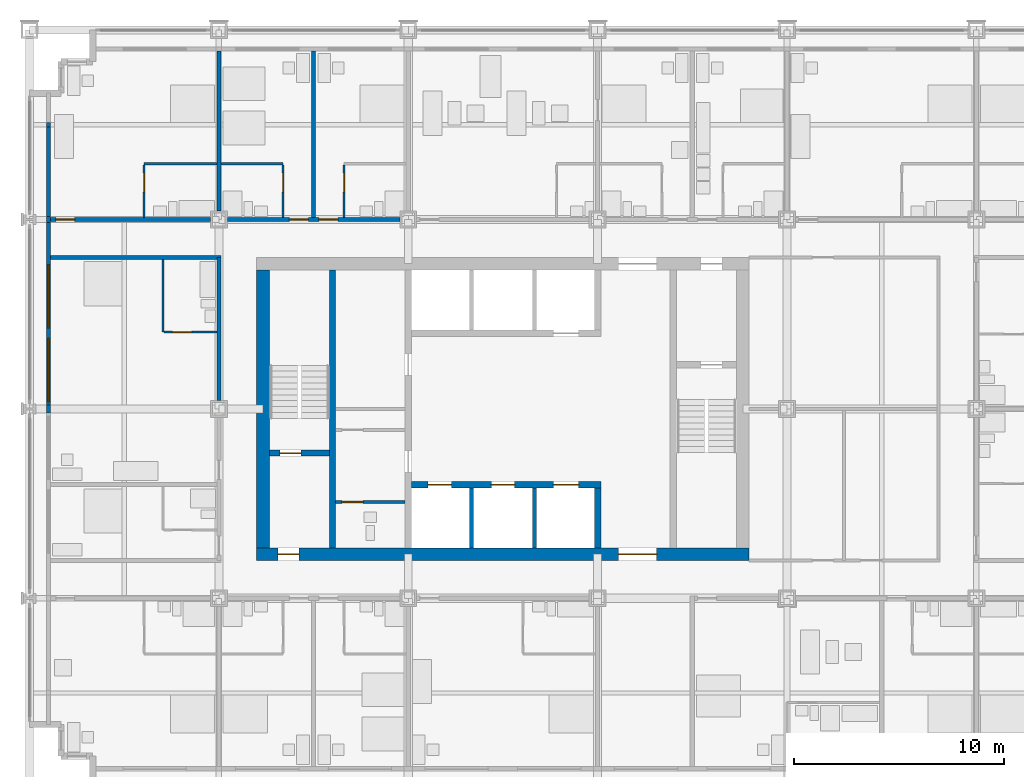
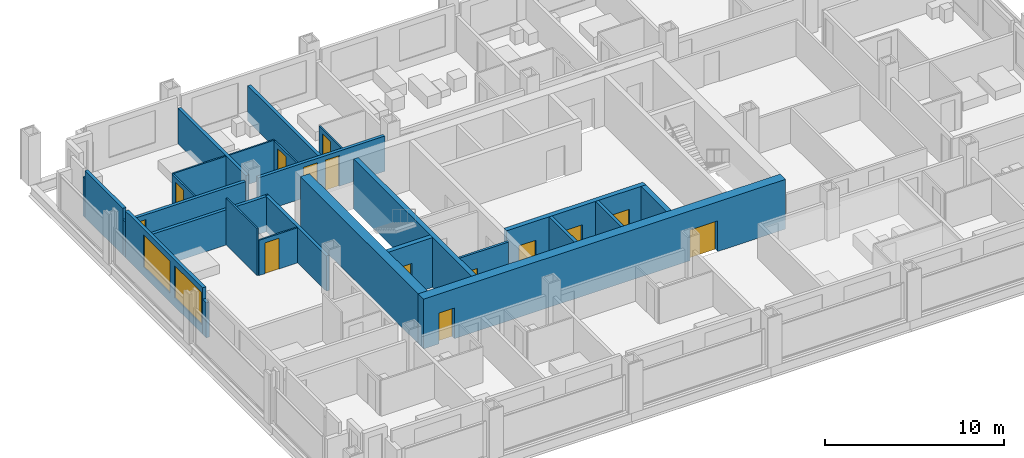
# One storey, part 11 of 18: 27 walls, 14 doors, 2 windows, 16 openings.
"""IFC4 building model written with IfcOpenShell, lengths in metres."""

import ifcopenshell
import ifcopenshell.guid

model = None  # the IFC model being written
_history = None  # IfcOwnerHistory: only IFC2X3 demands one
_inside = {}  # id of a spatial element -> (the spatial element, [elements in it])
_under = {}  # id of a project, library or spatial element -> (it, [spatial elements below it])
_declared = {}  # id of a project -> (the project, [libraries it declares])
_typed = {}  # id of a type object -> (the type object, [elements of that type])
_made_of = {}  # id of a material, layer set ... -> (it, [elements and type objects made of it])


def new_model(schema):
    """Start an empty IFC model of exactly this schema.

    Asked for "IFC4X3", IfcOpenShell would pick the latest addendum, in which some entities
    have other attributes; the version numbers below select the first issue.
    IFC2X3 requires an IfcOwnerHistory on every rooted entity: one is made here for all.
    """
    global model, _history
    if schema == "IFC4X3":
        model = ifcopenshell.file(schema_version=(4, 3, 0, 0))
    else:
        model = ifcopenshell.file(schema=schema)
    _inside.clear()
    _under.clear()
    _declared.clear()
    _typed.clear()
    _made_of.clear()
    _history = None
    if model.schema == "IFC2X3":
        org = make("IfcOrganization", Name="unknown")
        user = make(
            "IfcPersonAndOrganization",
            ThePerson=make("IfcPerson", FamilyName="unknown"),
            TheOrganization=org,
        )
        app = make(
            "IfcApplication",
            ApplicationDeveloper=org,
            Version="unknown",
            ApplicationFullName="unknown",
            ApplicationIdentifier="unknown",
        )
        _history = make(
            "IfcOwnerHistory",
            OwningUser=user,
            OwningApplication=app,
            ChangeAction="ADDED",
            CreationDate=0,
        )
    return model


def make(cls, **values):
    """One entity of the class cls with the attributes given. An attribute that is None is left unset."""
    return model.create_entity(
        cls, **{name: value for name, value in values.items() if value is not None}
    )


def rooted(cls, **values):
    """An entity with a GlobalId (a new one), such as an element, a storey or a relation."""
    return make(cls, GlobalId=ifcopenshell.guid.new(), OwnerHistory=_history, **values)


def si_unit(unit_type, name, prefix=None):
    """IfcSIUnit, for example si_unit("LENGTHUNIT", "METRE", prefix="MILLI")."""
    return make("IfcSIUnit", UnitType=unit_type, Prefix=prefix, Name=name)


def assignment(units):
    """IfcUnitAssignment: the units of a project."""
    return None if units is None else make("IfcUnitAssignment", Units=units)


def point(xyz):
    """IfcCartesianPoint."""
    return None if xyz is None else make("IfcCartesianPoint", Coordinates=xyz)


def direction(xyz):
    """IfcDirection."""
    return None if xyz is None else make("IfcDirection", DirectionRatios=xyz)


def frame(location, z_axis=None, x_axis=None):
    """IfcAxis2Placement3D, a coordinate frame: its origin and axes. An axis left out is left unset."""
    return make(
        "IfcAxis2Placement3D",
        Location=point(location),
        Axis=direction(z_axis),
        RefDirection=direction(x_axis),
    )


def frame_2d(location, x_axis=None):
    """IfcAxis2Placement2D, a coordinate frame in the plane: its origin and x axis."""
    return make(
        "IfcAxis2Placement2D", Location=point(location), RefDirection=direction(x_axis)
    )


def origin():
    """The frame at (0, 0, 0) with its axes left unset."""
    return frame((0.0, 0.0, 0.0))


def place(relative_to, where):
    """IfcLocalPlacement: puts the frame where relative to a parent placement (None: the world)."""
    return make(
        "IfcLocalPlacement", PlacementRelTo=relative_to, RelativePlacement=where
    )


def context(
    kind, dimensions, precision=None, world=None, true_north=None, identifier=None
):
    """IfcGeometricRepresentationContext, for example the 3D "Model" context."""
    return make(
        "IfcGeometricRepresentationContext",
        ContextIdentifier=identifier,
        ContextType=kind,
        CoordinateSpaceDimension=dimensions,
        Precision=precision,
        WorldCoordinateSystem=world,
        TrueNorth=true_north,
    )


def subcontext(parent, identifier, kind, view, scale=None):
    """IfcGeometricRepresentationSubContext, for example "Body" below "Model"."""
    return make(
        "IfcGeometricRepresentationSubContext",
        ContextIdentifier=identifier,
        ContextType=kind,
        ParentContext=parent,
        TargetScale=scale,
        TargetView=view,
    )


def project(units=None, contexts=None):
    """IfcProject with its units and contexts."""
    return rooted(
        "IfcProject",
        Name="project",
        RepresentationContexts=contexts,
        UnitsInContext=assignment(units),
    )


def spatial(cls, under=None, at=None, **own):
    """A site, building, storey or space (cls), placed at a placement, below another one or the project."""
    s = rooted(cls, ObjectPlacement=at, **own)
    if under is not None:
        _under.setdefault(under.id(), (under, []))[1].append(s)
    return s


def profile(cls, at=None, kind="AREA", **sizes):
    """A parametric profile (cls). Its sizes go by their IFC names, for example OverallWidth=200.0."""
    return make(cls, ProfileType=kind, Position=at, **sizes)


def rectangle(**sizes):
    """IfcRectangleProfileDef."""
    return profile("IfcRectangleProfileDef", **sizes)


def extrude(swept, where, along, depth):
    """IfcExtrudedAreaSolid: the profile swept, set in the frame where, extruded along a direction by depth."""
    return make(
        "IfcExtrudedAreaSolid",
        SweptArea=swept,
        Position=where,
        ExtrudedDirection=direction(along),
        Depth=depth,
    )


def shape(context_of_items, identifier, shape_type, items):
    """IfcShapeRepresentation: the items that make up one representation, for example the "Body"."""
    return make(
        "IfcShapeRepresentation",
        ContextOfItems=context_of_items,
        RepresentationIdentifier=identifier,
        RepresentationType=shape_type,
        Items=items,
    )


def material(Name=None, Category=None):
    """IfcMaterial."""
    return make("IfcMaterial", Name=Name, Category=Category)


def layer(
    of_material, thickness, ventilated=None, Name=None, Category=None, Priority=None
):
    """IfcMaterialLayer: one layer of a wall or slab, of a material (None: an air gap)."""
    return make(
        "IfcMaterialLayer",
        Material=of_material,
        LayerThickness=thickness,
        IsVentilated=ventilated,
        Name=Name,
        Category=Category,
        Priority=Priority,
    )


def layer_set(layers, Name=None):
    """IfcMaterialLayerSet."""
    return make("IfcMaterialLayerSet", MaterialLayers=layers, LayerSetName=Name)


def made_of(thing, what):
    """Note that an element or type object is made of a material, layer set ...; save() writes the relation."""
    if what is not None:
        _made_of.setdefault(what.id(), (what, []))[1].append(thing)
    return thing


def type_object(cls, material=None, **own):
    """A type object (cls), such as IfcWallType, which elements share."""
    return made_of(rooted(cls, **own), material)


def element(
    cls,
    number,
    at=None,
    inside=None,
    cuts=None,
    type_object=None,
    material=None,
    context=None,
    identifier="Body",
    shape_type=None,
    held_by="IfcProductDefinitionShape",
    body=None,
    shapes=None,
    **own,
):
    """One element of the class cls, such as IfcWall. Its Tag is "e" and its number.

    at: its placement. inside: the storey or other place that contains it. cuts: it is an
    opening in that element (IfcRelVoidsElement). A single representation is given by context,
    identifier, shape_type and body (its items); several are given by shapes. held_by: the class
    of the entity that holds the representations. save() writes the other relations.
    """
    e = rooted(cls, Tag="e%d" % number, ObjectPlacement=at, **own)
    if body is not None:
        shapes = [shape(context, identifier, shape_type, body)]
    if shapes is not None:
        e.Representation = make(held_by, Representations=shapes)
    if inside is not None:
        _inside.setdefault(inside.id(), (inside, []))[1].append(e)
    if cuts is not None:
        rooted(
            "IfcRelVoidsElement", RelatingBuildingElement=cuts, RelatedOpeningElement=e
        )
    if type_object is not None:
        _typed.setdefault(type_object.id(), (type_object, []))[1].append(e)
    return made_of(e, material)


def fill(opening, filler):
    """IfcRelFillsElement: the door or window that sits in an opening."""
    return rooted(
        "IfcRelFillsElement",
        RelatingOpeningElement=opening,
        RelatedBuildingElement=filler,
    )


def aggregate(whole, parts):
    """IfcRelAggregates: a whole, such as a stair, and the parts it consists of."""
    return rooted("IfcRelAggregates", RelatingObject=whole, RelatedObjects=parts)


def save(model, path):
    """Write the relations noted so far, then the file.

    IfcRelAggregates (storeys below a building ...), IfcRelContainedInSpatialStructure (elements
    in a storey), IfcRelDefinesByType, IfcRelAssociatesMaterial and IfcRelDeclares: one each for
    every whole, place, type object, material and project.
    """
    for whole, parts in _under.values():
        aggregate(whole, parts)
    for where, things in _inside.values():
        rooted(
            "IfcRelContainedInSpatialStructure",
            RelatedElements=things,
            RelatingStructure=where,
        )
    for kind, things in _typed.values():
        rooted("IfcRelDefinesByType", RelatedObjects=things, RelatingType=kind)
    for what, things in _made_of.values():
        rooted("IfcRelAssociatesMaterial", RelatedObjects=things, RelatingMaterial=what)
    for by, libraries in _declared.values():
        rooted("IfcRelDeclares", RelatingContext=by, RelatedDefinitions=libraries)
    model.write(path)


model = new_model("IFC4")

# Units and contexts
model_context = context("Model", 3, precision=1e-05, world=origin(), true_north=direction((0.0, 1.0)))
body_context = subcontext(model_context, "Body", "Model", "MODEL_VIEW")
ifc_project = project(units=[si_unit("LENGTHUNIT", "METRE"), si_unit("AREAUNIT", "SQUARE_METRE"), si_unit("VOLUMEUNIT", "CUBIC_METRE"), si_unit("PLANEANGLEUNIT", "RADIAN"), si_unit("MASSUNIT", "GRAM", prefix="KILO")], contexts=[model_context])

# Site, building, storey
site_placement = place(None, origin())
site = spatial("IfcSite", under=ifc_project, at=site_placement, CompositionType="ELEMENT")
building_placement = place(site_placement, origin())
building = spatial("IfcBuilding", under=site, at=building_placement, Name="Loomwork Tower", CompositionType="ELEMENT")
storey_placement = place(building_placement, frame((0.0, 0.0, 38.199951171875)))
storey = spatial("IfcBuildingStorey", under=building, at=storey_placement, Name="L08", CompositionType="ELEMENT", Elevation=38.199951171875)

# Wall
ifc_material_1 = material(Name="Concrete 14000 psi (97 MPa)", Category="concrete")
ifc_layer_1 = layer(ifc_material_1, 0.300048828125)
ifc_layer_set_1 = layer_set([ifc_layer_1], Name="Core shear wall 300")
wall_type_1 = type_object("IfcWallType", Name="Core shear wall 300", PredefinedType="SHEAR", material=ifc_layer_set_1)
wall_1_placement = place(storey_placement, frame((14.39990234375, 11.39990234375, 0.0), z_axis=(0.0, 0.0, 1.0), x_axis=(0.0, 1.0, 0.0)))
element("IfcWall", 1, at=wall_1_placement, inside=storey, type_object=wall_type_1, Name="Stair A east wall L08", PredefinedType="SHEAR", context=body_context, shape_type="SweptSolid", body=[
    extrude(rectangle(XDim=13.2001953125, YDim=0.300048828125, at=frame_2d((6.60009765625, 0.0))), origin(), (0.0, 0.0, 1.0), 3.400146484375),
])

# Wall, opening, door
wall_2_placement = place(storey_placement, frame((11.39990234375, 15.89990234375, 0.0), z_axis=(0.0, 0.0, 1.0), x_axis=(1.0, 0.0, 0.0)))
wall_2 = element("IfcWall", 2, at=wall_2_placement, inside=storey, type_object=wall_type_1, Name="Stair A south wall L08", PredefinedType="SHEAR", context=body_context, shape_type="SweptSolid", body=[
    extrude(rectangle(XDim=2.85009765625, YDim=0.300048828125, at=frame_2d((1.425048828125, 0.0))), origin(), (0.0, 0.0, 1.0), 3.400146484375),
])
opening_1_placement = place(wall_2_placement, frame((0.5, 0.0, 0.0)))
opening_1 = element("IfcOpeningElement", 3, at=opening_1_placement, cuts=wall_2, Name="Opening D4", PredefinedType="OPENING", context=body_context, shape_type="SweptSolid", body=[
    extrude(rectangle(XDim=1.0, YDim=2.10009765625, at=frame_2d((0.5, 1.050048828125))), frame((0.0, 0.159912109375, 0.0), z_axis=(0.0, -1.0, 0.0), x_axis=(1.0, 0.0, 0.0)), (0.0, 0.0, 1.0), 0.320068359375),
])
ifc_material_2 = material(Name="Hollow metal door and frame")
door_type_1 = type_object("IfcDoorType", Name="Stair door 1000", OperationType="SINGLE_SWING_RIGHT", PredefinedType="DOOR", material=ifc_material_2)
door_1_placement = place(opening_1_placement, origin())
door_1 = element("IfcDoor", 4, at=door_1_placement, inside=storey, type_object=door_type_1, Name="Stair A door", OperationType="SINGLE_SWING_LEFT", OverallHeight=2.10009765625, OverallWidth=1.0, PredefinedType="DOOR", context=body_context, shape_type="SweptSolid", body=[
    extrude(rectangle(XDim=1.0, YDim=2.10009765625, at=frame_2d((0.5, 1.050048828125))), frame((0.0, 0.02490234375, 0.0), z_axis=(0.0, -1.0, 0.0), x_axis=(1.0, 0.0, 0.0)), (0.0, 0.0, 1.0), 0.050048828125),
])
fill(opening_1, door_1)

# Wall, openings, doors
wall_3_placement = place(storey_placement, frame((18.14990234375, 14.39990234375, 0.0), z_axis=(0.0, 0.0, 1.0), x_axis=(1.0, 0.0, 0.0)))
wall_3 = element("IfcWall", 5, at=wall_3_placement, inside=storey, type_object=wall_type_1, Name="Lift front wall south L08", PredefinedType="SHEAR", context=body_context, shape_type="SweptSolid", body=[
    extrude(rectangle(XDim=9.0, YDim=0.300048828125, at=frame_2d((4.5, 0.0))), origin(), (0.0, 0.0, 1.0), 3.400146484375),
])
opening_2_placement = place(wall_3_placement, frame((0.800048828125, 0.0, 0.0)))
opening_2 = element("IfcOpeningElement", 6, at=opening_2_placement, cuts=wall_3, Name="Opening LD1", PredefinedType="OPENING", context=body_context, shape_type="SweptSolid", body=[
    extrude(rectangle(XDim=1.10009765625, YDim=2.10009765625, at=frame_2d((0.550048828125, 1.050048828125))), frame((0.0, 0.159912109375, 0.0), z_axis=(0.0, -1.0, 0.0), x_axis=(1.0, 0.0, 0.0)), (0.0, 0.0, 1.0), 0.320068359375),
])
opening_3_placement = place(wall_3_placement, frame((3.800048828125, 0.0, 0.0)))
opening_3 = element("IfcOpeningElement", 7, at=opening_3_placement, cuts=wall_3, Name="Opening LD1", PredefinedType="OPENING", context=body_context, shape_type="SweptSolid", body=[
    extrude(rectangle(XDim=1.10009765625, YDim=2.10009765625, at=frame_2d((0.550048828125, 1.050048828125))), frame((0.0, 0.159912109375, 0.0), z_axis=(0.0, -1.0, 0.0), x_axis=(1.0, 0.0, 0.0)), (0.0, 0.0, 1.0), 0.320068359375),
])
opening_4_placement = place(wall_3_placement, frame((6.75, 0.0, 0.0)))
opening_4 = element("IfcOpeningElement", 8, at=opening_4_placement, cuts=wall_3, Name="Opening LD2", PredefinedType="OPENING", context=body_context, shape_type="SweptSolid", body=[
    extrude(rectangle(XDim=1.199951171875, YDim=2.10009765625, at=frame_2d((0.60009765625, 1.050048828125))), frame((0.0, 0.159912109375, 0.0), z_axis=(0.0, -1.0, 0.0), x_axis=(1.0, 0.0, 0.0)), (0.0, 0.0, 1.0), 0.320068359375),
])
ifc_material_3 = material(Name="Hollow metal door and frame")
door_type_2 = type_object("IfcDoorType", Name="Lift landing door 1100", OperationType="SLIDING_TO_LEFT", PredefinedType="DOOR", material=ifc_material_3)
door_2_placement = place(opening_2_placement, origin())
door_2 = element("IfcDoor", 9, at=door_2_placement, inside=storey, type_object=door_type_2, Name="Lift landing door LA1", OperationType="SLIDING_TO_LEFT", OverallHeight=2.10009765625, OverallWidth=1.10009765625, PredefinedType="DOOR", context=body_context, shape_type="SweptSolid", body=[
    extrude(rectangle(XDim=1.10009765625, YDim=2.10009765625, at=frame_2d((0.550048828125, 1.050048828125))), frame((0.0, 0.02490234375, 0.0), z_axis=(0.0, -1.0, 0.0), x_axis=(1.0, 0.0, 0.0)), (0.0, 0.0, 1.0), 0.050048828125),
])
fill(opening_2, door_2)
door_3_placement = place(opening_3_placement, origin())
door_3 = element("IfcDoor", 10, at=door_3_placement, inside=storey, type_object=door_type_2, Name="Lift landing door LA2", OperationType="SLIDING_TO_LEFT", OverallHeight=2.10009765625, OverallWidth=1.10009765625, PredefinedType="DOOR", context=body_context, shape_type="SweptSolid", body=[
    extrude(rectangle(XDim=1.10009765625, YDim=2.10009765625, at=frame_2d((0.550048828125, 1.050048828125))), frame((0.0, 0.02490234375, 0.0), z_axis=(0.0, -1.0, 0.0), x_axis=(1.0, 0.0, 0.0)), (0.0, 0.0, 1.0), 0.050048828125),
])
fill(opening_3, door_3)
ifc_material_4 = material(Name="Hollow metal door and frame")
door_type_3 = type_object("IfcDoorType", Name="Lift landing door 1200", OperationType="SLIDING_TO_LEFT", PredefinedType="DOOR", material=ifc_material_4)
door_4_placement = place(opening_4_placement, origin())
door_4 = element("IfcDoor", 11, at=door_4_placement, inside=storey, type_object=door_type_3, Name="Lift landing door LF1", OperationType="SLIDING_TO_LEFT", OverallHeight=2.10009765625, OverallWidth=1.199951171875, PredefinedType="DOOR", context=body_context, shape_type="SweptSolid", body=[
    extrude(rectangle(XDim=1.199951171875, YDim=2.10009765625, at=frame_2d((0.60009765625, 1.050048828125))), frame((0.0, 0.02490234375, 0.0), z_axis=(0.0, -1.0, 0.0), x_axis=(1.0, 0.0, 0.0)), (0.0, 0.0, 1.0), 0.050048828125),
])
fill(opening_4, door_4)

# Wall
wall_4_placement = place(storey_placement, frame((27.0, 11.39990234375, 0.0), z_axis=(0.0, 0.0, 1.0), x_axis=(0.0, 1.0, 0.0)))
element("IfcWall", 12, at=wall_4_placement, inside=storey, type_object=wall_type_1, Name="Lift shaft end wall south L08", PredefinedType="SHEAR", context=body_context, shape_type="SweptSolid", body=[
    extrude(rectangle(XDim=2.85009765625, YDim=0.300048828125, at=frame_2d((1.425048828125, 0.0))), origin(), (0.0, 0.0, 1.0), 3.400146484375),
])

# Wall, openings, doors
ifc_material_5 = material(Name="Concrete 14000 psi (97 MPa)", Category="concrete")
ifc_layer_2 = layer(ifc_material_5, 0.60009765625)
ifc_layer_set_2 = layer_set([ifc_layer_2], Name="Core shear wall 600")
wall_type_2 = type_object("IfcWallType", Name="Core shear wall 600", PredefinedType="SHEAR", material=ifc_layer_set_2)
wall_5_placement = place(storey_placement, frame((10.800048828125, 11.10009765625, 0.0), z_axis=(0.0, 0.0, 1.0), x_axis=(1.0, 0.0, 0.0)))
wall_5 = element("IfcWall", 13, at=wall_5_placement, inside=storey, type_object=wall_type_2, Name="Core wall south L08", PredefinedType="SHEAR", context=body_context, shape_type="SweptSolid", body=[
    extrude(rectangle(XDim=23.39990234375, YDim=0.60009765625, at=frame_2d((11.699951171875, 0.0))), origin(), (0.0, 0.0, 1.0), 3.400146484375),
])
opening_5_placement = place(wall_5_placement, frame((1.0, 0.0, 0.0)))
opening_5 = element("IfcOpeningElement", 14, at=opening_5_placement, cuts=wall_5, Name="Opening D4", PredefinedType="OPENING", context=body_context, shape_type="SweptSolid", body=[
    extrude(rectangle(XDim=1.0, YDim=2.10009765625, at=frame_2d((0.5, 1.050048828125))), frame((0.0, 0.31005859375, 0.0), z_axis=(0.0, -1.0, 0.0), x_axis=(1.0, 0.0, 0.0)), (0.0, 0.0, 1.0), 0.6201171875),
])
opening_6_placement = place(wall_5_placement, frame((17.199951171875, 0.0, 0.0)))
opening_6 = element("IfcOpeningElement", 15, at=opening_6_placement, cuts=wall_5, Name="Opening D6", PredefinedType="OPENING", context=body_context, shape_type="SweptSolid", body=[
    extrude(rectangle(XDim=1.800048828125, YDim=2.10009765625, at=frame_2d((0.89990234375, 1.050048828125))), frame((0.0, 0.31005859375, 0.0), z_axis=(0.0, -1.0, 0.0), x_axis=(1.0, 0.0, 0.0)), (0.0, 0.0, 1.0), 0.6201171875),
])
ifc_material_6 = material(Name="Hollow metal door and frame")
door_type_4 = type_object("IfcDoorType", Name="Lobby passage double door 1800", OperationType="DOUBLE_DOOR_SINGLE_SWING", PredefinedType="DOOR", material=ifc_material_6)
door_5_placement = place(opening_6_placement, origin())
door_5 = element("IfcDoor", 16, at=door_5_placement, inside=storey, type_object=door_type_4, Name="Lobby passage door south", OperationType="DOUBLE_DOOR_SINGLE_SWING", OverallHeight=2.10009765625, OverallWidth=1.800048828125, PredefinedType="DOOR", context=body_context, shape_type="SweptSolid", body=[
    extrude(rectangle(XDim=1.800048828125, YDim=2.10009765625, at=frame_2d((0.89990234375, 1.050048828125))), frame((0.0, 0.02490234375, 0.0), z_axis=(0.0, -1.0, 0.0), x_axis=(1.0, 0.0, 0.0)), (0.0, 0.0, 1.0), 0.050048828125),
])
fill(opening_6, door_5)
door_6_placement = place(opening_5_placement, origin())
door_6 = element("IfcDoor", 17, at=door_6_placement, inside=storey, type_object=door_type_1, Name="Stair A vestibule door", OperationType="SINGLE_SWING_LEFT", OverallHeight=2.10009765625, OverallWidth=1.0, PredefinedType="DOOR", context=body_context, shape_type="SweptSolid", body=[
    extrude(rectangle(XDim=1.0, YDim=2.10009765625, at=frame_2d((0.5, 1.050048828125))), frame((0.0, 0.02490234375, 0.0), z_axis=(0.0, -1.0, 0.0), x_axis=(1.0, 0.0, 0.0)), (0.0, 0.0, 1.0), 0.050048828125),
])
fill(opening_5, door_6)

# Wall
wall_6_placement = place(storey_placement, frame((11.10009765625, 11.39990234375, 0.0), z_axis=(0.0, 0.0, 1.0), x_axis=(0.0, 1.0, 0.0)))
element("IfcWall", 18, at=wall_6_placement, inside=storey, type_object=wall_type_2, Name="Core wall west L08", PredefinedType="SHEAR", context=body_context, shape_type="SweptSolid", body=[
    extrude(rectangle(XDim=13.2001953125, YDim=0.60009765625, at=frame_2d((6.60009765625, 0.0))), origin(), (0.0, 0.0, 1.0), 3.400146484375),
])

# Wall, opening, door
ifc_material_7 = material(Name="Gypsum board on steel studs, one-hour", Category="steel")
ifc_layer_3 = layer(ifc_material_7, 0.199951171875)
ifc_layer_set_3 = layer_set([ifc_layer_3], Name="Corridor wall 200")
wall_type_3 = type_object("IfcWallType", Name="Corridor wall 200", PredefinedType="PARTITIONING", material=ifc_layer_set_3)
wall_7_placement = place(storey_placement, frame((1.0, 27.0, 0.0), z_axis=(0.0, 0.0, 1.0), x_axis=(1.0, 0.0, 0.0)))
wall_7 = element("IfcWall", 19, at=wall_7_placement, inside=storey, type_object=wall_type_3, Name="North corridor wall 1", PredefinedType="PARTITIONING", context=body_context, shape_type="SweptSolid", body=[
    extrude(rectangle(XDim=7.60009765625, YDim=0.199951171875, at=frame_2d((3.800048828125, 0.0))), origin(), (0.0, 0.0, 1.0), 2.43798828125),
])
opening_7_placement = place(wall_7_placement, frame((0.25, 0.0, 0.0)))
opening_7 = element("IfcOpeningElement", 20, at=opening_7_placement, cuts=wall_7, Name="Opening D1", PredefinedType="OPENING", context=body_context, shape_type="SweptSolid", body=[
    extrude(rectangle(XDim=0.89990234375, YDim=2.10009765625, at=frame_2d((0.449951171875, 1.050048828125))), frame((0.0, 0.10986328125, 0.0), z_axis=(0.0, -1.0, 0.0), x_axis=(1.0, 0.0, 0.0)), (0.0, 0.0, 1.0), 0.219970703125),
])
ifc_material_8 = material(Name="Hollow metal door and frame")
door_type_5 = type_object("IfcDoorType", Name="Guest room entry door 900", OperationType="SINGLE_SWING_LEFT", PredefinedType="DOOR", material=ifc_material_8)
door_7_placement = place(opening_7_placement, origin())
door_7 = element("IfcDoor", 21, at=door_7_placement, inside=storey, type_object=door_type_5, Name="Guest room entry door L08 8", OperationType="SINGLE_SWING_LEFT", OverallHeight=2.10009765625, OverallWidth=0.89990234375, PredefinedType="DOOR", context=body_context, shape_type="SweptSolid", body=[
    extrude(rectangle(XDim=0.89990234375, YDim=2.10009765625, at=frame_2d((0.449951171875, 1.050048828125))), frame((0.0, 0.02490234375, 0.0), z_axis=(0.0, -1.0, 0.0), x_axis=(1.0, 0.0, 0.0)), (0.0, 0.0, 1.0), 0.050048828125),
])
fill(opening_7, door_7)

# Wall, openings, doors
wall_8_placement = place(storey_placement, frame((9.39990234375, 27.0, 0.0), z_axis=(0.0, 0.0, 1.0), x_axis=(1.0, 0.0, 0.0)))
wall_8 = element("IfcWall", 22, at=wall_8_placement, inside=storey, type_object=wall_type_3, Name="North corridor wall 2", PredefinedType="PARTITIONING", context=body_context, shape_type="SweptSolid", body=[
    extrude(rectangle(XDim=8.2001953125, YDim=0.199951171875, at=frame_2d((4.10009765625, 0.0))), origin(), (0.0, 0.0, 1.0), 2.405029296875),
])
opening_8_placement = place(wall_8_placement, frame((2.949951171875, 0.0, 0.0)))
opening_8 = element("IfcOpeningElement", 23, at=opening_8_placement, cuts=wall_8, Name="Opening D1", PredefinedType="OPENING", context=body_context, shape_type="SweptSolid", body=[
    extrude(rectangle(XDim=0.89990234375, YDim=2.10009765625, at=frame_2d((0.449951171875, 1.050048828125))), frame((0.0, 0.10986328125, 0.0), z_axis=(0.0, -1.0, 0.0), x_axis=(1.0, 0.0, 0.0)), (0.0, 0.0, 1.0), 0.219970703125),
])
opening_9_placement = place(wall_8_placement, frame((4.35009765625, 0.0, 0.0)))
opening_9 = element("IfcOpeningElement", 24, at=opening_9_placement, cuts=wall_8, Name="Opening D1", PredefinedType="OPENING", context=body_context, shape_type="SweptSolid", body=[
    extrude(rectangle(XDim=0.89990234375, YDim=2.10009765625, at=frame_2d((0.449951171875, 1.050048828125))), frame((0.0, 0.10986328125, 0.0), z_axis=(0.0, -1.0, 0.0), x_axis=(1.0, 0.0, 0.0)), (0.0, 0.0, 1.0), 0.219970703125),
])
door_8_placement = place(opening_8_placement, origin())
door_8 = element("IfcDoor", 25, at=door_8_placement, inside=storey, type_object=door_type_5, Name="Guest room entry door L08 9", OperationType="SINGLE_SWING_RIGHT", OverallHeight=2.10009765625, OverallWidth=0.89990234375, PredefinedType="DOOR", context=body_context, shape_type="SweptSolid", body=[
    extrude(rectangle(XDim=0.89990234375, YDim=2.10009765625, at=frame_2d((0.449951171875, 1.050048828125))), frame((0.0, 0.02490234375, 0.0), z_axis=(0.0, -1.0, 0.0), x_axis=(1.0, 0.0, 0.0)), (0.0, 0.0, 1.0), 0.050048828125),
])
fill(opening_8, door_8)
door_9_placement = place(opening_9_placement, origin())
door_9 = element("IfcDoor", 26, at=door_9_placement, inside=storey, type_object=door_type_5, Name="Guest room entry door L08 10", OperationType="SINGLE_SWING_LEFT", OverallHeight=2.10009765625, OverallWidth=0.89990234375, PredefinedType="DOOR", context=body_context, shape_type="SweptSolid", body=[
    extrude(rectangle(XDim=0.89990234375, YDim=2.10009765625, at=frame_2d((0.449951171875, 1.050048828125))), frame((0.0, 0.02490234375, 0.0), z_axis=(0.0, -1.0, 0.0), x_axis=(1.0, 0.0, 0.0)), (0.0, 0.0, 1.0), 0.050048828125),
])
fill(opening_9, door_9)

# Walls
wall_9_placement = place(storey_placement, frame((9.0, 18.39990234375, 0.0), z_axis=(0.0, 0.0, 1.0), x_axis=(0.0, 1.0, 0.0)))
element("IfcWall", 27, at=wall_9_placement, inside=storey, type_object=wall_type_3, Name="West corridor wall 2", PredefinedType="PARTITIONING", context=body_context, shape_type="SweptSolid", body=[
    extrude(rectangle(XDim=6.800048828125, YDim=0.199951171875, at=frame_2d((3.39990234375, 0.0))), origin(), (0.0, 0.0, 1.0), 2.405029296875),
])
wall_10_placement = place(storey_placement, frame((1.0, 25.199951171875, 0.0), z_axis=(0.0, 0.0, 1.0), x_axis=(1.0, 0.0, 0.0)))
element("IfcWall", 28, at=wall_10_placement, inside=storey, type_object=wall_type_3, Name="West band end wall N", PredefinedType="PARTITIONING", context=body_context, shape_type="SweptSolid", body=[
    extrude(rectangle(XDim=8.10009765625, YDim=0.199951171875, at=frame_2d((4.050048828125, 0.0))), origin(), (0.0, 0.0, 1.0), 2.404052734375),
])
ifc_material_9 = material(Name="Cement board on steel studs", Category="steel")
ifc_layer_4 = layer(ifc_material_9, 0.10009765625)
ifc_layer_set_4 = layer_set([ifc_layer_4], Name="En-suite partition 100")
wall_type_4 = type_object("IfcWallType", Name="En-suite partition 100", PredefinedType="PARTITIONING", material=ifc_layer_set_4)
wall_11_placement = place(storey_placement, frame((5.449951171875, 29.64990234375, 0.0), z_axis=(0.0, 0.0, 1.0), x_axis=(1.0, 0.0, 0.0)))
element("IfcWall", 29, at=wall_11_placement, inside=storey, type_object=wall_type_4, Name="En-suite wall L08 room 8", PredefinedType="PARTITIONING", context=body_context, shape_type="SweptSolid", body=[
    extrude(rectangle(XDim=3.449951171875, YDim=0.10009765625, at=frame_2d((1.72509765625, 0.0))), origin(), (0.0, 0.0, 1.0), 2.43798828125),
])

# Wall, opening, door
wall_12_placement = place(storey_placement, frame((5.449951171875, 27.10009765625, 0.0), z_axis=(0.0, 0.0, 1.0), x_axis=(0.0, 1.0, 0.0)))
wall_12 = element("IfcWall", 30, at=wall_12_placement, inside=storey, type_object=wall_type_4, Name="En-suite side wall L08 room 8", PredefinedType="PARTITIONING", context=body_context, shape_type="SweptSolid", body=[
    extrude(rectangle(XDim=2.5, YDim=0.10009765625, at=frame_2d((1.25, 0.0))), origin(), (0.0, 0.0, 1.0), 2.43798828125),
])
opening_10_placement = place(wall_12_placement, frame((1.199951171875, 0.0, 0.0)))
opening_10 = element("IfcOpeningElement", 31, at=opening_10_placement, cuts=wall_12, Name="Opening D2", PredefinedType="OPENING", context=body_context, shape_type="SweptSolid", body=[
    extrude(rectangle(XDim=0.89990234375, YDim=2.10009765625, at=frame_2d((0.449951171875, 1.050048828125))), frame((0.0, 0.06005859375, 0.0), z_axis=(0.0, -1.0, 0.0), x_axis=(1.0, 0.0, 0.0)), (0.0, 0.0, 1.0), 0.1201171875),
])
ifc_material_10 = material(Name="Hollow metal door and frame")
door_type_6 = type_object("IfcDoorType", Name="En-suite door 900", OperationType="SINGLE_SWING_LEFT", PredefinedType="DOOR", material=ifc_material_10)
door_10_placement = place(opening_10_placement, frame((0.89990234375, 0.0, 0.0), z_axis=(0.0, 0.0, 1.0), x_axis=(-1.0, 0.0, 0.0)))
door_10 = element("IfcDoor", 32, at=door_10_placement, inside=storey, type_object=door_type_6, Name="En-suite door room 8", OperationType="SINGLE_SWING_LEFT", OverallHeight=2.10009765625, OverallWidth=0.89990234375, PredefinedType="DOOR", context=body_context, shape_type="SweptSolid", body=[
    extrude(rectangle(XDim=0.89990234375, YDim=2.10009765625, at=frame_2d((0.449951171875, 1.050048828125))), frame((0.0, 0.02490234375, 0.0), z_axis=(0.0, -1.0, 0.0), x_axis=(1.0, 0.0, 0.0)), (0.0, 0.0, 1.0), 0.050048828125),
])
fill(opening_10, door_10)

# Wall
wall_13_placement = place(storey_placement, frame((9.10009765625, 29.64990234375, 0.0), z_axis=(0.0, 0.0, 1.0), x_axis=(1.0, 0.0, 0.0)))
element("IfcWall", 33, at=wall_13_placement, inside=storey, type_object=wall_type_4, Name="En-suite wall L08 room 9", PredefinedType="PARTITIONING", context=body_context, shape_type="SweptSolid", body=[
    extrude(rectangle(XDim=2.949951171875, YDim=0.10009765625, at=frame_2d((1.47509765625, 0.0))), origin(), (0.0, 0.0, 1.0), 2.43798828125),
])

# Wall, opening, door
wall_14_placement = place(storey_placement, frame((12.050048828125, 27.10009765625, 0.0), z_axis=(0.0, 0.0, 1.0), x_axis=(0.0, 1.0, 0.0)))
wall_14 = element("IfcWall", 34, at=wall_14_placement, inside=storey, type_object=wall_type_4, Name="En-suite side wall L08 room 9", PredefinedType="PARTITIONING", context=body_context, shape_type="SweptSolid", body=[
    extrude(rectangle(XDim=2.5, YDim=0.10009765625, at=frame_2d((1.25, 0.0))), origin(), (0.0, 0.0, 1.0), 2.404052734375),
])
opening_11_placement = place(wall_14_placement, frame((1.199951171875, 0.0, 0.0)))
opening_11 = element("IfcOpeningElement", 35, at=opening_11_placement, cuts=wall_14, Name="Opening D2", PredefinedType="OPENING", context=body_context, shape_type="SweptSolid", body=[
    extrude(rectangle(XDim=0.89990234375, YDim=2.10009765625, at=frame_2d((0.449951171875, 1.050048828125))), frame((0.0, 0.06005859375, 0.0), z_axis=(0.0, -1.0, 0.0), x_axis=(1.0, 0.0, 0.0)), (0.0, 0.0, 1.0), 0.1201171875),
])
door_11_placement = place(opening_11_placement, origin())
door_11 = element("IfcDoor", 36, at=door_11_placement, inside=storey, type_object=door_type_6, Name="En-suite door room 9", OperationType="SINGLE_SWING_RIGHT", OverallHeight=2.10009765625, OverallWidth=0.89990234375, PredefinedType="DOOR", context=body_context, shape_type="SweptSolid", body=[
    extrude(rectangle(XDim=0.89990234375, YDim=2.10009765625, at=frame_2d((0.449951171875, 1.050048828125))), frame((0.0, 0.02490234375, 0.0), z_axis=(0.0, -1.0, 0.0), x_axis=(1.0, 0.0, 0.0)), (0.0, 0.0, 1.0), 0.050048828125),
])
fill(opening_11, door_11)

wall_15_placement = place(storey_placement, frame((14.949951171875, 27.10009765625, 0.0), z_axis=(0.0, 0.0, 1.0), x_axis=(0.0, 1.0, 0.0)))
wall_15 = element("IfcWall", 37, at=wall_15_placement, inside=storey, type_object=wall_type_4, Name="En-suite side wall L08 room 10", PredefinedType="PARTITIONING", context=body_context, shape_type="SweptSolid", body=[
    extrude(rectangle(XDim=2.5, YDim=0.10009765625, at=frame_2d((1.25, 0.0))), origin(), (0.0, 0.0, 1.0), 2.404052734375),
])
opening_12_placement = place(wall_15_placement, frame((1.199951171875, 0.0, 0.0)))
opening_12 = element("IfcOpeningElement", 38, at=opening_12_placement, cuts=wall_15, Name="Opening D2", PredefinedType="OPENING", context=body_context, shape_type="SweptSolid", body=[
    extrude(rectangle(XDim=0.89990234375, YDim=2.10009765625, at=frame_2d((0.449951171875, 1.050048828125))), frame((0.0, 0.06005859375, 0.0), z_axis=(0.0, -1.0, 0.0), x_axis=(1.0, 0.0, 0.0)), (0.0, 0.0, 1.0), 0.1201171875),
])
door_12_placement = place(opening_12_placement, frame((0.89990234375, 0.0, 0.0), z_axis=(0.0, 0.0, 1.0), x_axis=(-1.0, 0.0, 0.0)))
door_12 = element("IfcDoor", 39, at=door_12_placement, inside=storey, type_object=door_type_6, Name="En-suite door room 10", OperationType="SINGLE_SWING_LEFT", OverallHeight=2.10009765625, OverallWidth=0.89990234375, PredefinedType="DOOR", context=body_context, shape_type="SweptSolid", body=[
    extrude(rectangle(XDim=0.89990234375, YDim=2.10009765625, at=frame_2d((0.449951171875, 1.050048828125))), frame((0.0, 0.02490234375, 0.0), z_axis=(0.0, -1.0, 0.0), x_axis=(1.0, 0.0, 0.0)), (0.0, 0.0, 1.0), 0.050048828125),
])
fill(opening_12, door_12)

# Wall
wall_16_placement = place(storey_placement, frame((6.35009765625, 21.64990234375, 0.0), z_axis=(0.0, 0.0, 1.0), x_axis=(0.0, 1.0, 0.0)))
element("IfcWall", 40, at=wall_16_placement, inside=storey, type_object=wall_type_4, Name="En-suite wall L08 room 17", PredefinedType="PARTITIONING", context=body_context, shape_type="SweptSolid", body=[
    extrude(rectangle(XDim=3.4501953125, YDim=0.10009765625, at=frame_2d((1.72509765625, 0.0))), origin(), (0.0, 0.0, 1.0), 3.199951171875),
])

# Wall, opening, door
wall_17_placement = place(storey_placement, frame((8.89990234375, 21.64990234375, 0.0), z_axis=(0.0, 0.0, 1.0), x_axis=(-1.0, 0.0, 0.0)))
wall_17 = element("IfcWall", 41, at=wall_17_placement, inside=storey, type_object=wall_type_4, Name="En-suite side wall L08 room 17", PredefinedType="PARTITIONING", context=body_context, shape_type="SweptSolid", body=[
    extrude(rectangle(XDim=2.5, YDim=0.10009765625, at=frame_2d((1.25, 0.0))), origin(), (0.0, 0.0, 1.0), 2.404052734375),
])
opening_13_placement = place(wall_17_placement, frame((1.199951171875, 0.0, 0.0)))
opening_13 = element("IfcOpeningElement", 42, at=opening_13_placement, cuts=wall_17, Name="Opening D2", PredefinedType="OPENING", context=body_context, shape_type="SweptSolid", body=[
    extrude(rectangle(XDim=0.89990234375, YDim=2.10009765625, at=frame_2d((0.449951171875, 1.050048828125))), frame((0.0, 0.06005859375, 0.0), z_axis=(0.0, -1.0, 0.0), x_axis=(1.0, 0.0, 0.0)), (0.0, 0.0, 1.0), 0.1201171875),
])
door_13_placement = place(opening_13_placement, frame((0.89990234375, 0.0, 0.0), z_axis=(0.0, 0.0, 1.0), x_axis=(-1.0, 0.0, 0.0)))
door_13 = element("IfcDoor", 43, at=door_13_placement, inside=storey, type_object=door_type_6, Name="En-suite door room 17", OperationType="SINGLE_SWING_LEFT", OverallHeight=2.10009765625, OverallWidth=0.89990234375, PredefinedType="DOOR", context=body_context, shape_type="SweptSolid", body=[
    extrude(rectangle(XDim=0.89990234375, YDim=2.10009765625, at=frame_2d((0.449951171875, 1.050048828125))), frame((0.0, 0.02490234375, 0.0), z_axis=(0.0, -1.0, 0.0), x_axis=(1.0, 0.0, 0.0)), (0.0, 0.0, 1.0), 0.050048828125),
])
fill(opening_13, door_13)

# Walls
ifc_material_11 = material(Name="Gypsum board on steel studs, acoustic", Category="steel")
ifc_layer_5 = layer(ifc_material_11, 0.199951171875)
ifc_layer_set_5 = layer_set([ifc_layer_5], Name="Guest room party wall 200")
wall_type_5 = type_object("IfcWallType", Name="Guest room party wall 200", PredefinedType="PARTITIONING", material=ifc_layer_set_5)
wall_18_placement = place(storey_placement, frame((9.0, 27.39990234375, 0.0), z_axis=(0.0, 0.0, 1.0), x_axis=(0.0, 1.0, 0.0)))
element("IfcWall", 44, at=wall_18_placement, inside=storey, type_object=wall_type_5, Name="Guest room party wall N 9", PredefinedType="PARTITIONING", context=body_context, shape_type="SweptSolid", body=[
    extrude(rectangle(XDim=7.60009765625, YDim=0.199951171875, at=frame_2d((3.800048828125, 0.0))), origin(), (0.0, 0.0, 1.0), 2.43798828125),
])
wall_19_placement = place(storey_placement, frame((13.5, 27.10009765625, 0.0), z_axis=(0.0, 0.0, 1.0), x_axis=(0.0, 1.0, 0.0)))
element("IfcWall", 45, at=wall_19_placement, inside=storey, type_object=wall_type_5, Name="Guest room party wall N 13.5", PredefinedType="PARTITIONING", context=body_context, shape_type="SweptSolid", body=[
    extrude(rectangle(XDim=7.89990234375, YDim=0.199951171875, at=frame_2d((3.949951171875, 0.0))), origin(), (0.0, 0.0, 1.0), 2.404052734375),
])
ifc_material_12 = material(Name="Insulated steel stud wall with gypsum lining", Category="steel")
ifc_layer_6 = layer(ifc_material_12, 0.199951171875)
ifc_layer_set_6 = layer_set([ifc_layer_6], Name="Inner skin wall 200")
wall_type_6 = type_object("IfcWallType", Name="Inner skin wall 200", PredefinedType="SOLIDWALL", material=ifc_layer_set_6)
wall_20_placement = place(storey_placement, frame((0.89990234375, 17.80615234375, 0.0), z_axis=(0.0, 0.0, 1.0), x_axis=(0.0, 1.0, 0.0)))
element("IfcWall", 46, at=wall_20_placement, inside=storey, type_object=wall_type_6, Name="Inner skin wall W bay 6", PredefinedType="SOLIDWALL", context=body_context, shape_type="SweptSolid", body=[
    extrude(rectangle(XDim=0.3876953125, YDim=0.199951171875, at=frame_2d((0.19384765625, 0.0))), origin(), (0.0, 0.0, 1.0), 2.404052734375),
])

# Wall, openings, windows
wall_21_placement = place(storey_placement, frame((0.89990234375, 18.19384765625, 0.0), z_axis=(0.0, 0.0, 1.0), x_axis=(0.0, 1.0, 0.0)))
wall_21 = element("IfcWall", 47, at=wall_21_placement, inside=storey, type_object=wall_type_6, Name="Inner skin wall W bay 7", PredefinedType="SOLIDWALL", context=body_context, shape_type="SweptSolid", body=[
    extrude(rectangle(XDim=8.6708984375, YDim=0.199951171875, at=frame_2d((4.33544921875, 0.0))), origin(), (0.0, 0.0, 1.0), 3.199951171875),
])
opening_14_placement = place(wall_21_placement, frame((0.15625, 0.0, 0.60009765625)))
opening_14 = element("IfcOpeningElement", 48, at=opening_14_placement, cuts=wall_21, Name="Opening CH1", PredefinedType="OPENING", context=body_context, shape_type="SweptSolid", body=[
    extrude(rectangle(XDim=3.0, YDim=2.199951171875, at=frame_2d((1.5, 1.10009765625))), frame((0.0, 0.10986328125, 0.0), z_axis=(0.0, -1.0, 0.0), x_axis=(1.0, 0.0, 0.0)), (0.0, 0.0, 1.0), 0.219970703125),
])
opening_15_placement = place(wall_21_placement, frame((3.65625, 0.0, 0.60009765625)))
opening_15 = element("IfcOpeningElement", 49, at=opening_15_placement, cuts=wall_21, Name="Opening CH1", PredefinedType="OPENING", context=body_context, shape_type="SweptSolid", body=[
    extrude(rectangle(XDim=3.0, YDim=2.199951171875, at=frame_2d((1.5, 1.10009765625))), frame((0.0, 0.10986328125, 0.0), z_axis=(0.0, -1.0, 0.0), x_axis=(1.0, 0.0, 0.0)), (0.0, 0.0, 1.0), 0.219970703125),
])
ifc_material_13 = material(Name="Aluminium frame with clear insulated glass", Category="aluminium")
window_type = type_object("IfcWindowType", Name="Chicago window 3000", PartitioningType="TRIPLE_PANEL_VERTICAL", PredefinedType="WINDOW", material=ifc_material_13)
window_1_placement = place(opening_14_placement, origin())
window_1 = element("IfcWindow", 50, at=window_1_placement, inside=storey, type_object=window_type, Name="Chicago window L08 bay 14", OverallHeight=2.199951171875, OverallWidth=3.0, PartitioningType="TRIPLE_PANEL_VERTICAL", PredefinedType="WINDOW", context=body_context, shape_type="SweptSolid", body=[
    extrude(rectangle(XDim=3.0, YDim=2.199951171875, at=frame_2d((1.5, 1.10009765625))), frame((0.0, 0.030029296875, 0.0), z_axis=(0.0, -1.0, 0.0), x_axis=(1.0, 0.0, 0.0)), (0.0, 0.0, 1.0), 0.06005859375),
])
fill(opening_14, window_1)
window_2_placement = place(opening_15_placement, origin())
window_2 = element("IfcWindow", 51, at=window_2_placement, inside=storey, type_object=window_type, Name="Chicago window L08 bay 14", OverallHeight=2.199951171875, OverallWidth=3.0, PartitioningType="TRIPLE_PANEL_VERTICAL", PredefinedType="WINDOW", context=body_context, shape_type="SweptSolid", body=[
    extrude(rectangle(XDim=3.0, YDim=2.199951171875, at=frame_2d((1.5, 1.10009765625))), frame((0.0, 0.030029296875, 0.0), z_axis=(0.0, -1.0, 0.0), x_axis=(1.0, 0.0, 0.0)), (0.0, 0.0, 1.0), 0.06005859375),
])
fill(opening_15, window_2)

# Walls
wall_22_placement = place(storey_placement, frame((0.89990234375, 26.86474609375, 0.0), z_axis=(0.0, 0.0, 1.0), x_axis=(0.0, 1.0, 0.0)))
element("IfcWall", 52, at=wall_22_placement, inside=storey, type_object=wall_type_6, Name="Inner skin wall W bay 8", PredefinedType="SOLIDWALL", context=body_context, shape_type="SweptSolid", body=[
    extrude(rectangle(XDim=0.2705078125, YDim=0.199951171875, at=frame_2d((0.13525390625, 0.0))), origin(), (0.0, 0.0, 1.0), 2.43798828125),
])
wall_23_placement = place(storey_placement, frame((0.89990234375, 27.13525390625, 0.0), z_axis=(0.0, 0.0, 1.0), x_axis=(0.0, 1.0, 0.0)))
element("IfcWall", 53, at=wall_23_placement, inside=storey, type_object=wall_type_6, Name="Inner skin wall W bay 9", PredefinedType="SOLIDWALL", context=body_context, shape_type="SweptSolid", body=[
    extrude(rectangle(XDim=4.25732421875, YDim=0.199951171875, at=frame_2d((2.128662109375, 0.0))), origin(), (0.0, 0.0, 1.0), 3.199951171875),
])
wall_24_placement = place(storey_placement, frame((0.89990234375, 31.392578125, 0.0), z_axis=(0.0, 0.0, 1.0), x_axis=(0.0, 1.0, 0.0)))
element("IfcWall", 54, at=wall_24_placement, inside=storey, type_object=wall_type_6, Name="Inner skin wall W bay 10", PredefinedType="SOLIDWALL", context=body_context, shape_type="SweptSolid", body=[
    extrude(rectangle(XDim=0.21484375, YDim=0.199951171875, at=frame_2d((0.107421875, 0.0))), origin(), (0.0, 0.0, 1.0), 2.6611328125),
])
ifc_material_14 = material(Name="Concrete 14000 psi (97 MPa)", Category="concrete")
ifc_layer_7 = layer(ifc_material_14, 0.199951171875)
ifc_layer_set_7 = layer_set([ifc_layer_7], Name="Lift shaft wall 200")
wall_type_7 = type_object("IfcWallType", Name="Lift shaft wall 200", PredefinedType="SHEAR", material=ifc_layer_set_7)
for number, where, z_axis, x_axis, name in (
    (55, (21.0, 11.39990234375, 0.0), (0.0, 0.0, 1.0), (0.0, 1.0, 0.0), "Lift shaft separation wall south 1 L08"),
    (56, (24.0, 11.39990234375, 0.0), (0.0, 0.0, 1.0), (0.0, 1.0, 0.0), "Lift shaft separation wall south 2 L08"),
):
    element("IfcWall", number, at=place(storey_placement, frame(where, z_axis=z_axis, x_axis=x_axis)), inside=storey, type_object=wall_type_7, Name=name, PredefinedType="SHEAR", context=body_context, shape_type="SweptSolid", body=[
        extrude(rectangle(XDim=2.85009765625, YDim=0.199951171875, at=frame_2d((1.425048828125, 0.0))), origin(), (0.0, 0.0, 1.0), 3.400146484375),
    ])

# Wall, opening, door
ifc_material_15 = material(Name="Gypsum board on steel studs, one-hour", Category="steel")
ifc_layer_8 = layer(ifc_material_15, 0.14990234375)
ifc_layer_set_8 = layer_set([ifc_layer_8], Name="Service partition 150")
wall_type_8 = type_object("IfcWallType", Name="Service partition 150", PredefinedType="PARTITIONING", material=ifc_layer_set_8)
wall_25_placement = place(storey_placement, frame((14.550048828125, 13.574951171875, 0.0), z_axis=(0.0, 0.0, 1.0), x_axis=(1.0, 0.0, 0.0)))
wall_25 = element("IfcWall", 57, at=wall_25_placement, inside=storey, type_object=wall_type_8, Name="Back-of-house partition L08", PredefinedType="PARTITIONING", context=body_context, shape_type="SweptSolid", body=[
    extrude(rectangle(XDim=3.300048828125, YDim=0.14990234375, at=frame_2d((1.64990234375, 0.0))), origin(), (0.0, 0.0, 1.0), 3.199951171875),
])
opening_16_placement = place(wall_25_placement, frame((0.300048828125, 0.0, 0.0)))
opening_16 = element("IfcOpeningElement", 58, at=opening_16_placement, cuts=wall_25, Name="Opening D5", PredefinedType="OPENING", context=body_context, shape_type="SweptSolid", body=[
    extrude(rectangle(XDim=1.0, YDim=2.10009765625, at=frame_2d((0.5, 1.050048828125))), frame((0.0, 0.0849609375, 0.0), z_axis=(0.0, -1.0, 0.0), x_axis=(1.0, 0.0, 0.0)), (0.0, 0.0, 1.0), 0.169921875),
])
ifc_material_16 = material(Name="Hollow metal door and frame")
door_type_7 = type_object("IfcDoorType", Name="Service door 1000", OperationType="SINGLE_SWING_LEFT", PredefinedType="DOOR", material=ifc_material_16)
door_14_placement = place(opening_16_placement, frame((1.0, 0.0, 0.0), z_axis=(0.0, 0.0, 1.0), x_axis=(-1.0, 0.0, 0.0)))
door_14 = element("IfcDoor", 59, at=door_14_placement, inside=storey, type_object=door_type_7, Name="Back-of-house room door", OperationType="SINGLE_SWING_RIGHT", OverallHeight=2.10009765625, OverallWidth=1.0, PredefinedType="DOOR", context=body_context, shape_type="SweptSolid", body=[
    extrude(rectangle(XDim=1.0, YDim=2.10009765625, at=frame_2d((0.5, 1.050048828125))), frame((0.0, 0.02490234375, 0.0), z_axis=(0.0, -1.0, 0.0), x_axis=(1.0, 0.0, 0.0)), (0.0, 0.0, 1.0), 0.050048828125),
])
fill(opening_16, door_14)

save(model, "model.ifc")
